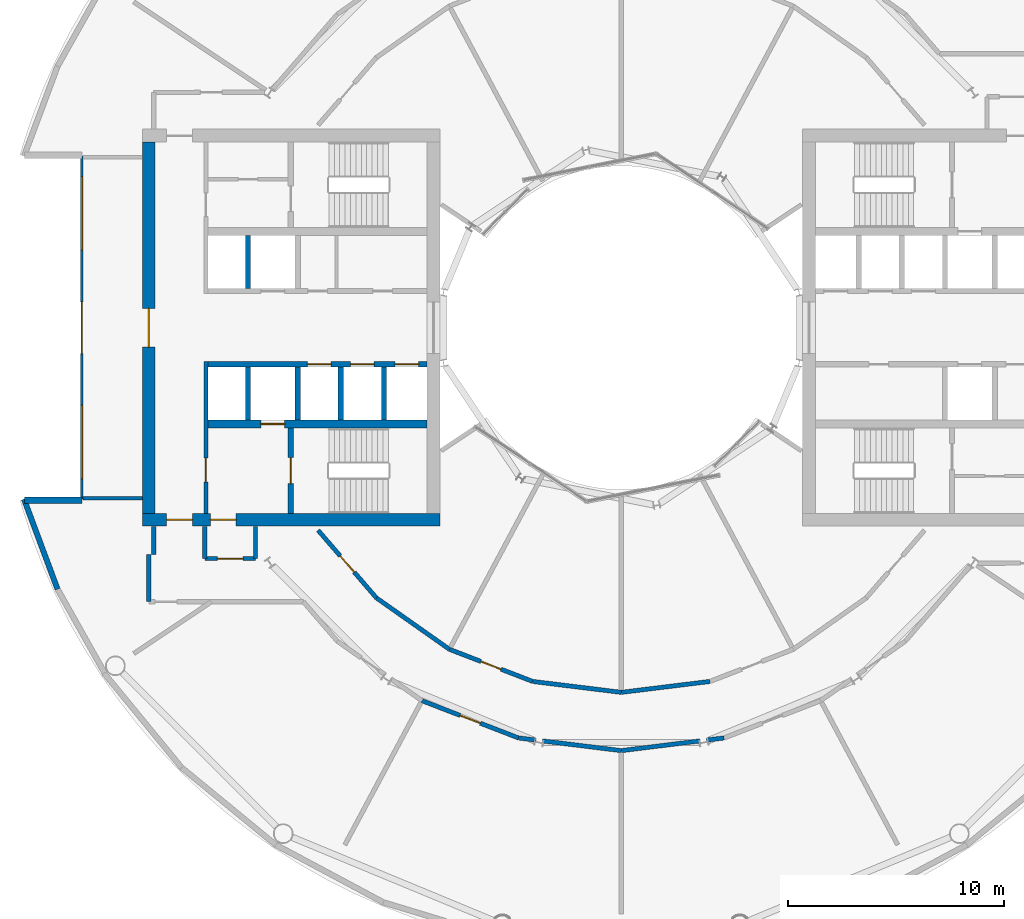
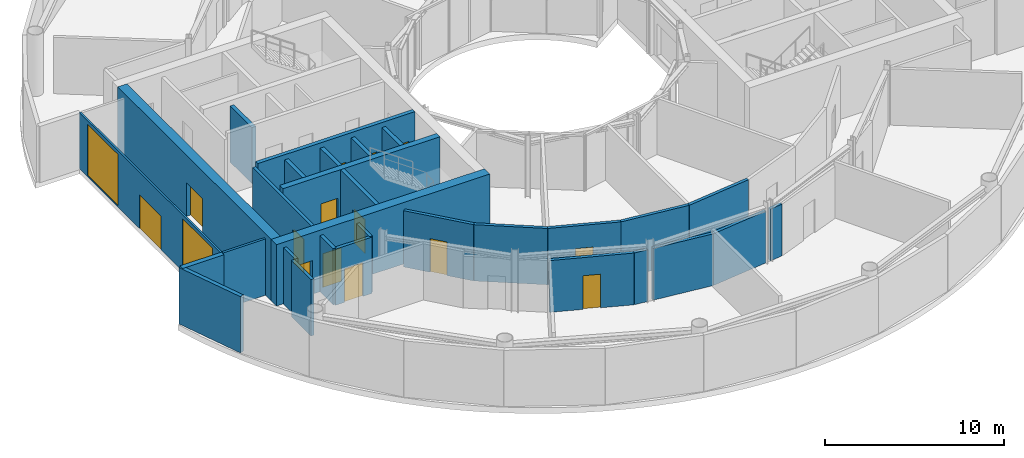
# One storey, part 11 of 18: 30 walls, 14 doors, 2 windows, 16 openings.
"""IFC4 building model written with IfcOpenShell, lengths in metres."""

from ifc_helpers import new_model, si_unit, direction, frame, frame_2d, origin, place, context, subcontext, project, spatial, rectangle, extrude, material, layer, layer_set, type_object, element, fill, save


model = new_model("IFC4")

# Units and contexts
model_context = context("Model", 3, precision=1e-05, world=origin(), true_north=direction((0.0, 1.0)))
body_context = subcontext(model_context, "Body", "Model", "MODEL_VIEW")
ifc_project = project(units=[si_unit("LENGTHUNIT", "METRE"), si_unit("AREAUNIT", "SQUARE_METRE"), si_unit("VOLUMEUNIT", "CUBIC_METRE"), si_unit("PLANEANGLEUNIT", "RADIAN"), si_unit("MASSUNIT", "GRAM", prefix="KILO")], contexts=[model_context])

# Site, building, storey
site_placement = place(None, origin())
site = spatial("IfcSite", under=ifc_project, at=site_placement, CompositionType="ELEMENT")
building_placement = place(site_placement, origin())
building = spatial("IfcBuilding", under=site, at=building_placement, Name="Maasbend Ring Residences", CompositionType="ELEMENT")
storey_placement = place(building_placement, frame((0.0, 0.0, 103.25)))
storey = spatial("IfcBuildingStorey", under=building, at=storey_placement, Name="L29", CompositionType="ELEMENT", Elevation=103.25)

# Wall, opening, door
ifc_material_1 = material(Name="Concrete C30/37", Category="concrete")
ifc_layer_1 = layer(ifc_material_1, 0.199951171875)
ifc_layer_set_1 = layer_set([ifc_layer_1], Name="Concrete C30/37")
wall_type_1 = type_object("IfcWallType", Name="COMPARTMENT WALL 200 CONCRETE", PredefinedType="PARTITIONING", material=ifc_layer_set_1)
wall_1_placement = place(storey_placement, frame((-9.239013671875, -17.285888671875, 0.0), z_axis=(0.0, 0.0, 1.0), x_axis=(0.932988479706, -0.359906233255, 0.0)))
wall_1 = element("IfcWall", 1, at=wall_1_placement, inside=storey, type_object=wall_type_1, Name="U-L29-w007", PredefinedType="PARTITIONING", context=body_context, shape_type="SweptSolid", body=[
    extrude(rectangle(XDim=4.798583984375, YDim=0.199951171875, at=frame_2d((2.3994140625, 0.0))), origin(), (0.0, 0.0, 1.0), 3.5400390625),
])
opening_1_placement = place(wall_1_placement, frame((1.89892578125, 0.0, 0.0)))
opening_1 = element("IfcOpeningElement", 2, at=opening_1_placement, cuts=wall_1, Name="Opening D-2912", PredefinedType="OPENING", context=body_context, shape_type="SweptSolid", body=[
    extrude(rectangle(XDim=1.0, YDim=2.300048828125, at=frame_2d((0.5, 1.14990234375))), frame((0.0, 0.10986328125, 0.0), z_axis=(0.0, -1.0, 0.0), x_axis=(1.0, 0.0, 0.0)), (0.0, 0.0, 1.0), 0.219970703125),
])
ifc_material_2 = material(Name="Steel, fire-rated, painted", Category="steel")
door_type_1 = type_object("IfcDoorType", Name="PLANT DOOR 1000 X 2300 FIRE-RATED", OperationType="NOTDEFINED", PredefinedType="DOOR", material=ifc_material_2)
door_1_placement = place(opening_1_placement, origin())
door_1 = element("IfcDoor", 3, at=door_1_placement, inside=storey, type_object=door_type_1, Name="D-2912", OperationType="SINGLE_SWING_RIGHT", OverallHeight=2.300048828125, OverallWidth=1.0, PredefinedType="DOOR", context=body_context, shape_type="SweptSolid", body=[
    extrude(rectangle(XDim=1.0, YDim=2.300048828125, at=frame_2d((0.5, 1.14990234375))), frame((0.0, 0.02490234375, 0.0), z_axis=(0.0, -1.0, 0.0), x_axis=(1.0, 0.0, 0.0)), (0.0, 0.0, 1.0), 0.050048828125),
])
fill(opening_1, door_1)

# Walls
wall_2_placement = place(storey_placement, frame((-4.761962890625, -19.012939453125, 0.0), z_axis=(0.0, 0.0, 1.0), x_axis=(0.99248512894, -0.122365308943, 0.0)))
element("IfcWall", 4, at=wall_2_placement, inside=storey, type_object=wall_type_1, Name="U-L29-w008", PredefinedType="PARTITIONING", context=body_context, shape_type="SweptSolid", body=[
    extrude(rectangle(XDim=0.81005859375, YDim=0.199951171875, at=frame_2d((0.405029296875, 0.0))), origin(), (0.0, 0.0, 1.0), 3.5400390625),
])
for number, where, z_axis, x_axis, name in (
    (5, (-3.653076171875, -19.14990234375, 0.0), (0.0, 0.0, 1.0), (0.992491698106, -0.122312015726, 0.0), "U-L29-w009"),
    (6, (0.0, -19.60009765625, 0.0), (0.0, 0.0, 1.0), (0.992491698106, 0.122312015726, 0.0), "U-L29-w010"),
):
    element("IfcWall", number, at=place(storey_placement, frame(where, z_axis=z_axis, x_axis=x_axis)), inside=storey, type_object=wall_type_1, Name=name, PredefinedType="PARTITIONING", context=body_context, shape_type="SweptSolid", body=[
        extrude(rectangle(XDim=3.6806640625, YDim=0.199951171875, at=frame_2d((1.84033203125, 0.0))), origin(), (0.0, 0.0, 1.0), 3.5400390625),
    ])
wall_3_placement = place(storey_placement, frame((3.9580078125, -19.112060546875, 0.0), z_axis=(0.0, 0.0, 1.0), x_axis=(0.99248512894, 0.122365308943, 0.0)))
element("IfcWall", 7, at=wall_3_placement, inside=storey, type_object=wall_type_1, Name="U-L29-w011", PredefinedType="PARTITIONING", context=body_context, shape_type="SweptSolid", body=[
    extrude(rectangle(XDim=0.81005859375, YDim=0.199951171875, at=frame_2d((0.405029296875, 0.0))), origin(), (0.0, 0.0, 1.0), 3.5400390625),
])

# Wall, opening, door
wall_4_placement = place(storey_placement, frame((-14.052001953125, -9.388916015625, 0.0), z_axis=(0.0, 0.0, 1.0), x_axis=(0.653212695939, -0.757174467256, 0.0)))
wall_4 = element("IfcWall", 8, at=wall_4_placement, inside=storey, type_object=wall_type_1, Name="U-L29-w018", PredefinedType="PARTITIONING", context=body_context, shape_type="SweptSolid", body=[
    extrude(rectangle(XDim=4.137939453125, YDim=0.199951171875, at=frame_2d((2.06884765625, 0.0))), origin(), (0.0, 0.0, 1.0), 3.85009765625),
])
opening_2_placement = place(wall_4_placement, frame((1.569091796875, 0.0, 0.0)))
opening_2 = element("IfcOpeningElement", 9, at=opening_2_placement, cuts=wall_4, Name="Opening D-2915", PredefinedType="OPENING", context=body_context, shape_type="SweptSolid", body=[
    extrude(rectangle(XDim=1.0, YDim=2.300048828125, at=frame_2d((0.5, 1.14990234375))), frame((0.0, 0.10986328125, 0.0), z_axis=(0.0, -1.0, 0.0), x_axis=(1.0, 0.0, 0.0)), (0.0, 0.0, 1.0), 0.219970703125),
])
door_2_placement = place(opening_2_placement, origin())
door_2 = element("IfcDoor", 10, at=door_2_placement, inside=storey, type_object=door_type_1, Name="D-2915", OperationType="SINGLE_SWING_LEFT", OverallHeight=2.300048828125, OverallWidth=1.0, PredefinedType="DOOR", context=body_context, shape_type="SweptSolid", body=[
    extrude(rectangle(XDim=1.0, YDim=2.300048828125, at=frame_2d((0.5, 1.14990234375))), frame((0.0, 0.02490234375, 0.0), z_axis=(0.0, -1.0, 0.0), x_axis=(1.0, 0.0, 0.0)), (0.0, 0.0, 1.0), 0.050048828125),
])
fill(opening_2, door_2)

# Wall
wall_5_placement = place(storey_placement, frame((-11.34912109375, -12.52197265625, 0.0), z_axis=(0.0, 0.0, 1.0), x_axis=(0.817567680547, -0.575832517079, 0.0)))
element("IfcWall", 11, at=wall_5_placement, inside=storey, type_object=wall_type_1, Name="U-L29-w019", PredefinedType="PARTITIONING", context=body_context, shape_type="SweptSolid", body=[
    extrude(rectangle(XDim=4.13671875, YDim=0.199951171875, at=frame_2d((2.068359375, 0.0))), origin(), (0.0, 0.0, 1.0), 3.85009765625),
])

# Wall, opening, door
wall_6_placement = place(storey_placement, frame((-7.967041015625, -14.904052734375, 0.0), z_axis=(0.0, 0.0, 1.0), x_axis=(0.932943640288, -0.360022449363, 0.0)))
wall_6 = element("IfcWall", 12, at=wall_6_placement, inside=storey, type_object=wall_type_1, Name="U-L29-w020", PredefinedType="PARTITIONING", context=body_context, shape_type="SweptSolid", body=[
    extrude(rectangle(XDim=4.138671875, YDim=0.199951171875, at=frame_2d((2.0693359375, 0.0))), origin(), (0.0, 0.0, 1.0), 3.85009765625),
])
opening_3_placement = place(wall_6_placement, frame((1.569091796875, 0.0, 0.0)))
opening_3 = element("IfcOpeningElement", 13, at=opening_3_placement, cuts=wall_6, Name="Opening D-2916", PredefinedType="OPENING", context=body_context, shape_type="SweptSolid", body=[
    extrude(rectangle(XDim=1.0, YDim=2.300048828125, at=frame_2d((0.5, 1.14990234375))), frame((0.0, 0.10986328125, 0.0), z_axis=(0.0, -1.0, 0.0), x_axis=(1.0, 0.0, 0.0)), (0.0, 0.0, 1.0), 0.219970703125),
])
door_3_placement = place(opening_3_placement, origin())
door_3 = element("IfcDoor", 14, at=door_3_placement, inside=storey, type_object=door_type_1, Name="D-2916", OperationType="SINGLE_SWING_LEFT", OverallHeight=2.300048828125, OverallWidth=1.0, PredefinedType="DOOR", context=body_context, shape_type="SweptSolid", body=[
    extrude(rectangle(XDim=1.0, YDim=2.300048828125, at=frame_2d((0.5, 1.14990234375))), frame((0.0, 0.02490234375, 0.0), z_axis=(0.0, -1.0, 0.0), x_axis=(1.0, 0.0, 0.0)), (0.0, 0.0, 1.0), 0.050048828125),
])
fill(opening_3, door_3)

# Walls
for number, where, z_axis, x_axis, name in (
    (15, (-4.10595703125, -16.39404296875, 0.0), (0.0, 0.0, 1.0), (0.992496033272, -0.122276833211, 0.0), "U-L29-w021"),
    (16, (0.0, -16.89990234375, 0.0), (0.0, 0.0, 1.0), (0.992496033272, 0.122276833211, 0.0), "U-L29-w022"),
):
    element("IfcWall", number, at=place(storey_placement, frame(where, z_axis=z_axis, x_axis=x_axis)), inside=storey, type_object=wall_type_1, Name=name, PredefinedType="PARTITIONING", context=body_context, shape_type="SweptSolid", body=[
        extrude(rectangle(XDim=4.136962890625, YDim=0.199951171875, at=frame_2d((2.068359375, 0.0))), origin(), (0.0, 0.0, 1.0), 3.85009765625),
    ])

# Wall, opening, door
wall_7_placement = place(storey_placement, frame((-19.300048828125, -10.699951171875, 0.0), z_axis=(0.0, 0.0, 1.0), x_axis=(1.0, 0.0, 0.0)))
wall_7 = element("IfcWall", 17, at=wall_7_placement, inside=storey, type_object=wall_type_1, Name="U-L29-w028", PredefinedType="PARTITIONING", context=body_context, shape_type="SweptSolid", body=[
    extrude(rectangle(XDim=2.35009765625, YDim=0.199951171875, at=frame_2d((1.175048828125, 0.0))), origin(), (0.0, 0.0, 1.0), 3.85009765625),
])
opening_4_placement = place(wall_7_placement, frame((0.574951171875, 0.0, 0.0)))
opening_4 = element("IfcOpeningElement", 18, at=opening_4_placement, cuts=wall_7, Name="Opening D-2902", PredefinedType="OPENING", context=body_context, shape_type="SweptSolid", body=[
    extrude(rectangle(XDim=1.199951171875, YDim=2.300048828125, at=frame_2d((0.60009765625, 1.14990234375))), frame((0.0, 0.10986328125, 0.0), z_axis=(0.0, -1.0, 0.0), x_axis=(1.0, 0.0, 0.0)), (0.0, 0.0, 1.0), 0.219970703125),
])
ifc_material_3 = material(Name="Steel, fire-rated, painted", Category="steel")
door_type_2 = type_object("IfcDoorType", Name="REFUGE DOOR 1200 X 2300 FIRE-RATED", OperationType="NOTDEFINED", PredefinedType="DOOR", material=ifc_material_3)
door_4_placement = place(opening_4_placement, origin())
door_4 = element("IfcDoor", 19, at=door_4_placement, inside=storey, type_object=door_type_2, Name="D-2902", OperationType="SINGLE_SWING_LEFT", OverallHeight=2.300048828125, OverallWidth=1.199951171875, PredefinedType="DOOR", context=body_context, shape_type="SweptSolid", body=[
    extrude(rectangle(XDim=1.199951171875, YDim=2.300048828125, at=frame_2d((0.60009765625, 1.14990234375))), frame((0.0, 0.02490234375, 0.0), z_axis=(0.0, -1.0, 0.0), x_axis=(1.0, 0.0, 0.0)), (0.0, 0.0, 1.0), 0.050048828125),
])
fill(opening_4, door_4)

# Walls
for number, where, z_axis, x_axis, name in (
    (20, (-16.949951171875, -10.699951171875, 0.0), (0.0, 0.0, 1.0), (0.0, 1.0, 0.0), "U-L29-w060"),
    (21, (-19.300048828125, -10.699951171875, 0.0), (0.0, 0.0, 1.0), (0.0, 1.0, 0.0), "U-L29-w061"),
):
    element("IfcWall", number, at=place(storey_placement, frame(where, z_axis=z_axis, x_axis=x_axis)), inside=storey, type_object=wall_type_1, Name=name, PredefinedType="PARTITIONING", context=body_context, shape_type="SweptSolid", body=[
        extrude(rectangle(XDim=1.47998046875, YDim=0.199951171875, at=frame_2d((0.739990234375, 0.0))), origin(), (0.0, 0.0, 1.0), 3.85009765625),
    ])
wall_8_placement = place(storey_placement, frame((-21.675048828125, -10.5, 0.0), z_axis=(0.0, 0.0, 1.0), x_axis=(0.0, 1.0, 0.0)))
element("IfcWall", 22, at=wall_8_placement, inside=storey, type_object=wall_type_1, Name="U-L29-w074", PredefinedType="PARTITIONING", context=body_context, shape_type="SweptSolid", body=[
    extrude(rectangle(XDim=1.280029296875, YDim=0.199951171875, at=frame_2d((0.64013671875, 0.0))), origin(), (0.0, 0.0, 1.0), 3.85009765625),
])
wall_9_placement = place(storey_placement, frame((-21.89990234375, -12.699951171875, 0.0), z_axis=(0.0, 0.0, 1.0), x_axis=(0.0, 1.0, 0.0)))
element("IfcWall", 23, at=wall_9_placement, inside=storey, type_object=wall_type_1, Name="U-L29-w076", PredefinedType="PARTITIONING", context=body_context, shape_type="SweptSolid", body=[
    extrude(rectangle(XDim=2.199951171875, YDim=0.199951171875, at=frame_2d((1.10009765625, 0.0))), origin(), (0.0, 0.0, 1.0), 3.85009765625),
])

# Wall, openings, doors
ifc_material_4 = material(Name="Concrete C60/75", Category="concrete")
ifc_layer_2 = layer(ifc_material_4, 0.25)
ifc_layer_set_2 = layer_set([ifc_layer_2], Name="Concrete C60/75")
wall_type_2 = type_object("IfcWallType", Name="CORE WALL 250 C60/75", PredefinedType="SHEAR", material=ifc_layer_set_2)
wall_10_placement = place(storey_placement, frame((-9.0, -1.699951171875, 0.0), z_axis=(0.0, 0.0, 1.0), x_axis=(-1.0, 0.0, 0.0)))
wall_10 = element("IfcWall", 24, at=wall_10_placement, inside=storey, type_object=wall_type_2, Name="L29 core W wall SPN", PredefinedType="SHEAR", context=body_context, shape_type="SweptSolid", body=[
    extrude(rectangle(XDim=10.14990234375, YDim=0.25, at=frame_2d((5.074951171875, 0.0))), origin(), (0.0, 0.0, 1.0), 4.199951171875),
])
opening_5_placement = place(wall_10_placement, frame((0.387451171875, 0.0, 0.0)))
opening_5 = element("IfcOpeningElement", 25, at=opening_5_placement, cuts=wall_10, Name="Opening LD-W2901", PredefinedType="OPENING", context=body_context, shape_type="SweptSolid", body=[
    extrude(rectangle(XDim=1.10009765625, YDim=2.300048828125, at=frame_2d((0.550048828125, 1.14990234375))), frame((0.0, 0.135009765625, 0.0), z_axis=(0.0, -1.0, 0.0), x_axis=(1.0, 0.0, 0.0)), (0.0, 0.0, 1.0), 0.27001953125),
])
opening_6_placement = place(wall_10_placement, frame((2.449951171875, 0.0, 0.0)))
opening_6 = element("IfcOpeningElement", 26, at=opening_6_placement, cuts=wall_10, Name="Opening LD-W2902", PredefinedType="OPENING", context=body_context, shape_type="SweptSolid", body=[
    extrude(rectangle(XDim=1.10009765625, YDim=2.300048828125, at=frame_2d((0.550048828125, 1.14990234375))), frame((0.0, 0.135009765625, 0.0), z_axis=(0.0, -1.0, 0.0), x_axis=(1.0, 0.0, 0.0)), (0.0, 0.0, 1.0), 0.27001953125),
])
opening_7_placement = place(wall_10_placement, frame((4.449951171875, 0.0, 0.0)))
opening_7 = element("IfcOpeningElement", 27, at=opening_7_placement, cuts=wall_10, Name="Opening LD-W2903", PredefinedType="OPENING", context=body_context, shape_type="SweptSolid", body=[
    extrude(rectangle(XDim=1.10009765625, YDim=2.300048828125, at=frame_2d((0.550048828125, 1.14990234375))), frame((0.0, 0.135009765625, 0.0), z_axis=(0.0, -1.0, 0.0), x_axis=(1.0, 0.0, 0.0)), (0.0, 0.0, 1.0), 0.27001953125),
])
ifc_material_5 = material(Name="Stainless steel 316", Category="steel")
door_type_3 = type_object("IfcDoorType", Name="LANDING DOOR 1100 X 2300 FD60", OperationType="DOUBLE_DOOR_SLIDING", PredefinedType="DOOR", material=ifc_material_5)
door_5_placement = place(opening_5_placement, origin())
door_5 = element("IfcDoor", 28, at=door_5_placement, inside=storey, type_object=door_type_3, Name="Landing door LR-W1 L29", OperationType="DOUBLE_DOOR_SLIDING", OverallHeight=2.300048828125, OverallWidth=1.10009765625, PredefinedType="DOOR", context=body_context, shape_type="SweptSolid", body=[
    extrude(rectangle(XDim=1.10009765625, YDim=2.300048828125, at=frame_2d((0.550048828125, 1.14990234375))), frame((0.0, 0.02490234375, 0.0), z_axis=(0.0, -1.0, 0.0), x_axis=(1.0, 0.0, 0.0)), (0.0, 0.0, 1.0), 0.050048828125),
])
fill(opening_5, door_5)
door_6_placement = place(opening_6_placement, origin())
door_6 = element("IfcDoor", 29, at=door_6_placement, inside=storey, type_object=door_type_3, Name="Landing door LR-W2 L29", OperationType="DOUBLE_DOOR_SLIDING", OverallHeight=2.300048828125, OverallWidth=1.10009765625, PredefinedType="DOOR", context=body_context, shape_type="SweptSolid", body=[
    extrude(rectangle(XDim=1.10009765625, YDim=2.300048828125, at=frame_2d((0.550048828125, 1.14990234375))), frame((0.0, 0.02490234375, 0.0), z_axis=(0.0, -1.0, 0.0), x_axis=(1.0, 0.0, 0.0)), (0.0, 0.0, 1.0), 0.050048828125),
])
fill(opening_6, door_6)
door_7_placement = place(opening_7_placement, origin())
door_7 = element("IfcDoor", 30, at=door_7_placement, inside=storey, type_object=door_type_3, Name="Landing door LR-W3 L29", OperationType="DOUBLE_DOOR_SLIDING", OverallHeight=2.300048828125, OverallWidth=1.10009765625, PredefinedType="DOOR", context=body_context, shape_type="SweptSolid", body=[
    extrude(rectangle(XDim=1.10009765625, YDim=2.300048828125, at=frame_2d((0.550048828125, 1.14990234375))), frame((0.0, 0.02490234375, 0.0), z_axis=(0.0, -1.0, 0.0), x_axis=(1.0, 0.0, 0.0)), (0.0, 0.0, 1.0), 0.050048828125),
])
fill(opening_7, door_7)

# Wall, opening, door
wall_11_placement = place(storey_placement, frame((-15.324951171875, -4.64990234375, 0.0), z_axis=(0.0, 0.0, 1.0), x_axis=(0.0, -1.0, 0.0)))
wall_11 = element("IfcWall", 31, at=wall_11_placement, inside=storey, type_object=wall_type_2, Name="L29 core W wall STEN", PredefinedType="SHEAR", context=body_context, shape_type="SweptSolid", body=[
    extrude(rectangle(XDim=3.9501953125, YDim=0.25, at=frame_2d((1.97509765625, 0.0))), origin(), (0.0, 0.0, 1.0), 4.199951171875),
])
opening_8_placement = place(wall_11_placement, frame((1.375, 0.0, 0.0)))
opening_8 = element("IfcOpeningElement", 32, at=opening_8_placement, cuts=wall_11, Name="Opening D-W2909", PredefinedType="OPENING", context=body_context, shape_type="SweptSolid", body=[
    extrude(rectangle(XDim=1.199951171875, YDim=2.300048828125, at=frame_2d((0.60009765625, 1.14990234375))), frame((0.0, 0.135009765625, 0.0), z_axis=(0.0, -1.0, 0.0), x_axis=(1.0, 0.0, 0.0)), (0.0, 0.0, 1.0), 0.27001953125),
])
ifc_material_6 = material(Name="Steel, powder coated", Category="steel")
door_type_4 = type_object("IfcDoorType", Name="STAIR DOOR 1200 X 2300 FD60", OperationType="NOTDEFINED", PredefinedType="DOOR", material=ifc_material_6)
door_8_placement = place(opening_8_placement, origin())
door_8 = element("IfcDoor", 33, at=door_8_placement, inside=storey, type_object=door_type_4, Name="Stair door ST-W L29", OperationType="SINGLE_SWING_LEFT", OverallHeight=2.300048828125, OverallWidth=1.199951171875, PredefinedType="DOOR", context=body_context, shape_type="SweptSolid", body=[
    extrude(rectangle(XDim=1.199951171875, YDim=2.300048828125, at=frame_2d((0.60009765625, 1.14990234375))), frame((0.0, 0.02490234375, 0.0), z_axis=(0.0, -1.0, 0.0), x_axis=(1.0, 0.0, 0.0)), (0.0, 0.0, 1.0), 0.050048828125),
])
fill(opening_8, door_8)

ifc_material_7 = material(Name="Concrete C60/75", Category="concrete")
ifc_layer_3 = layer(ifc_material_7, 0.375)
ifc_layer_set_3 = layer_set([ifc_layer_3], Name="Concrete C60/75")
wall_type_3 = type_object("IfcWallType", Name="CORE WALL 375 C60/75", PredefinedType="SHEAR", material=ifc_layer_set_3)
wall_12_placement = place(storey_placement, frame((-9.0, -4.46240234375, 0.0), z_axis=(0.0, 0.0, 1.0), x_axis=(-1.0, 0.0, 0.0)))
wall_12 = element("IfcWall", 34, at=wall_12_placement, inside=storey, type_object=wall_type_3, Name="L29 core W wall BN", PredefinedType="SHEAR", context=body_context, shape_type="SweptSolid", body=[
    extrude(rectangle(XDim=10.14990234375, YDim=0.375, at=frame_2d((5.074951171875, 0.0))), origin(), (0.0, 0.0, 1.0), 4.199951171875),
])
opening_9_placement = place(wall_12_placement, frame((6.60009765625, 0.0, 0.0)))
opening_9 = element("IfcOpeningElement", 35, at=opening_9_placement, cuts=wall_12, Name="Opening LD-W2904", PredefinedType="OPENING", context=body_context, shape_type="SweptSolid", body=[
    extrude(rectangle(XDim=1.10009765625, YDim=2.300048828125, at=frame_2d((0.550048828125, 1.14990234375))), frame((0.0, 0.197509765625, 0.0), z_axis=(0.0, -1.0, 0.0), x_axis=(1.0, 0.0, 0.0)), (0.0, 0.0, 1.0), 0.39501953125),
])
door_9_placement = place(opening_9_placement, origin())
door_9 = element("IfcDoor", 36, at=door_9_placement, inside=storey, type_object=door_type_3, Name="Landing door FF-W L29", OperationType="DOUBLE_DOOR_SLIDING", OverallHeight=2.300048828125, OverallWidth=1.10009765625, PredefinedType="DOOR", context=body_context, shape_type="SweptSolid", body=[
    extrude(rectangle(XDim=1.10009765625, YDim=2.300048828125, at=frame_2d((0.550048828125, 1.14990234375))), frame((0.0, 0.02490234375, 0.0), z_axis=(0.0, -1.0, 0.0), x_axis=(1.0, 0.0, 0.0)), (0.0, 0.0, 1.0), 0.050048828125),
])
fill(opening_9, door_9)

# Wall, openings, doors
ifc_material_8 = material(Name="Concrete C60/75", Category="concrete")
ifc_layer_4 = layer(ifc_material_8, 0.60009765625)
ifc_layer_set_4 = layer_set([ifc_layer_4], Name="Concrete C60/75")
wall_type_4 = type_object("IfcWallType", Name="CORE WALL 600 C60/75", PredefinedType="SHEAR", material=ifc_layer_set_4)
wall_13_placement = place(storey_placement, frame((-22.199951171875, -8.89990234375, 0.0), z_axis=(0.0, 0.0, 1.0), x_axis=(1.0, 0.0, 0.0)))
wall_13 = element("IfcWall", 37, at=wall_13_placement, inside=storey, type_object=wall_type_4, Name="L29 core W wall PN", PredefinedType="SHEAR", context=body_context, shape_type="SweptSolid", body=[
    extrude(rectangle(XDim=13.800048828125, YDim=0.60009765625, at=frame_2d((6.89990234375, 0.0))), origin(), (0.0, 0.0, 1.0), 4.199951171875),
])
opening_10_placement = place(wall_13_placement, frame((1.125, 0.0, 0.0)))
opening_10 = element("IfcOpeningElement", 38, at=opening_10_placement, cuts=wall_13, Name="Opening D-W2913", PredefinedType="OPENING", context=body_context, shape_type="SweptSolid", body=[
    extrude(rectangle(XDim=1.199951171875, YDim=2.300048828125, at=frame_2d((0.60009765625, 1.14990234375))), frame((0.0, 0.31005859375, 0.0), z_axis=(0.0, -1.0, 0.0), x_axis=(1.0, 0.0, 0.0)), (0.0, 0.0, 1.0), 0.6201171875),
])
opening_11_placement = place(wall_13_placement, frame((3.14990234375, 0.0, 0.0)))
opening_11 = element("IfcOpeningElement", 39, at=opening_11_placement, cuts=wall_13, Name="Opening D-W2915", PredefinedType="OPENING", context=body_context, shape_type="SweptSolid", body=[
    extrude(rectangle(XDim=1.199951171875, YDim=2.300048828125, at=frame_2d((0.60009765625, 1.14990234375))), frame((0.0, 0.31005859375, 0.0), z_axis=(0.0, -1.0, 0.0), x_axis=(1.0, 0.0, 0.0)), (0.0, 0.0, 1.0), 0.6201171875),
])
ifc_material_9 = material(Name="Steel, powder coated", Category="steel")
door_type_5 = type_object("IfcDoorType", Name="CORRIDOR DOOR 1200 X 2300 FD30S", OperationType="NOTDEFINED", PredefinedType="DOOR", material=ifc_material_9)
door_10_placement = place(opening_10_placement, origin())
door_10 = element("IfcDoor", 40, at=door_10_placement, inside=storey, type_object=door_type_5, Name="Corridor door L29", OperationType="SINGLE_SWING_RIGHT", OverallHeight=2.300048828125, OverallWidth=1.199951171875, PredefinedType="DOOR", context=body_context, shape_type="SweptSolid", body=[
    extrude(rectangle(XDim=1.199951171875, YDim=2.300048828125, at=frame_2d((0.60009765625, 1.14990234375))), frame((0.0, 0.02490234375, 0.0), z_axis=(0.0, -1.0, 0.0), x_axis=(1.0, 0.0, 0.0)), (0.0, 0.0, 1.0), 0.050048828125),
])
fill(opening_10, door_10)
ifc_material_10 = material(Name="Steel, powder coated", Category="steel")
door_type_6 = type_object("IfcDoorType", Name="LOBBY DOOR 1200 X 2300 FD60", OperationType="NOTDEFINED", PredefinedType="DOOR", material=ifc_material_10)
door_11_placement = place(opening_11_placement, origin())
door_11 = element("IfcDoor", 41, at=door_11_placement, inside=storey, type_object=door_type_6, Name="Lobby door L29", OperationType="SINGLE_SWING_RIGHT", OverallHeight=2.300048828125, OverallWidth=1.199951171875, PredefinedType="DOOR", context=body_context, shape_type="SweptSolid", body=[
    extrude(rectangle(XDim=1.199951171875, YDim=2.300048828125, at=frame_2d((0.60009765625, 1.14990234375))), frame((0.0, 0.02490234375, 0.0), z_axis=(0.0, -1.0, 0.0), x_axis=(1.0, 0.0, 0.0)), (0.0, 0.0, 1.0), 0.050048828125),
])
fill(opening_11, door_11)

# Wall, opening, door
wall_14_placement = place(storey_placement, frame((-21.89990234375, -8.60009765625, 0.0), z_axis=(0.0, 0.0, 1.0), x_axis=(0.0, 1.0, 0.0)))
wall_14 = element("IfcWall", 42, at=wall_14_placement, inside=storey, type_object=wall_type_4, Name="L29 core W wall POUT", PredefinedType="SHEAR", context=body_context, shape_type="SweptSolid", body=[
    extrude(rectangle(XDim=17.2001953125, YDim=0.60009765625, at=frame_2d((8.60009765625, 0.0))), origin(), (0.0, 0.0, 1.0), 4.199951171875),
])
opening_12_placement = place(wall_14_placement, frame((7.699951171875, 0.0, 0.0)))
opening_12 = element("IfcOpeningElement", 43, at=opening_12_placement, cuts=wall_14, Name="Opening D-W2916", PredefinedType="OPENING", context=body_context, shape_type="SweptSolid", body=[
    extrude(rectangle(XDim=1.800048828125, YDim=2.300048828125, at=frame_2d((0.89990234375, 1.14990234375))), frame((0.0, 0.31005859375, 0.0), z_axis=(0.0, -1.0, 0.0), x_axis=(1.0, 0.0, 0.0)), (0.0, 0.0, 1.0), 0.6201171875),
])
ifc_material_11 = material(Name="Aluminium frame, clear glass", Category="aluminium")
door_type_7 = type_object("IfcDoorType", Name="ENTRANCE DOOR 1800 X 2300 FD60", OperationType="NOTDEFINED", PredefinedType="DOOR", material=ifc_material_11)
door_12_placement = place(opening_12_placement, origin())
door_12 = element("IfcDoor", 44, at=door_12_placement, inside=storey, type_object=door_type_7, Name="Lobby glazed door L29", OperationType="SINGLE_SWING_LEFT", OverallHeight=2.300048828125, OverallWidth=1.800048828125, PredefinedType="DOOR", context=body_context, shape_type="SweptSolid", body=[
    extrude(rectangle(XDim=1.800048828125, YDim=2.300048828125, at=frame_2d((0.89990234375, 1.14990234375))), frame((0.0, 0.02490234375, 0.0), z_axis=(0.0, -1.0, 0.0), x_axis=(1.0, 0.0, 0.0)), (0.0, 0.0, 1.0), 0.050048828125),
])
fill(opening_12, door_12)

# Walls
ifc_material_12 = material(Name="Louvred aluminium panel", Category="aluminium")
ifc_layer_5 = layer(ifc_material_12, 0.25)
ifc_layer_set_5 = layer_set([ifc_layer_5], Name="EW-LV")
wall_type_5 = type_object("IfcWallType", Name="EW-LV", PredefinedType="SOLIDWALL", material=ifc_layer_set_5)
wall_15_placement = place(storey_placement, frame((-27.681884765625, -7.945068359375, 0.0), z_axis=(0.0, 0.0, 1.0), x_axis=(0.349247811493, -0.937030397675, 0.0)))
element("IfcWall", 45, at=wall_15_placement, inside=storey, type_object=wall_type_5, Name="Horn wall 3.1", PredefinedType="SOLIDWALL", context=body_context, shape_type="SweptSolid", body=[
    extrude(rectangle(XDim=4.4521484375, YDim=0.25, at=frame_2d((2.22607421875, 0.0))), origin(), (0.0, 0.0, 1.0), 3.85009765625),
])
ifc_material_13 = material(Name="Aluminium clad insulated panel", Category="aluminium")
ifc_layer_6 = layer(ifc_material_13, 0.300048828125)
ifc_layer_set_6 = layer_set([ifc_layer_6], Name="EW-RET")
wall_type_6 = type_object("IfcWallType", Name="EW-RET", PredefinedType="SOLIDWALL", material=ifc_layer_set_6)
wall_16_placement = place(storey_placement, frame((-25.0, -8.0, 0.0), z_axis=(0.0, 0.0, 1.0), x_axis=(-1.0, 0.0, 0.0)))
element("IfcWall", 46, at=wall_16_placement, inside=storey, type_object=wall_type_6, Name="Notch return wall west south", PredefinedType="SOLIDWALL", context=body_context, shape_type="SweptSolid", body=[
    extrude(rectangle(XDim=2.6669921875, YDim=0.300048828125, at=frame_2d((1.33349609375, 0.0))), origin(), (0.0, 0.0, 1.0), 3.85009765625),
])

# Wall, openings, door, windows
ifc_material_14 = material(Name="Aluminium frame and clear glass", Category="aluminium")
ifc_layer_7 = layer(ifc_material_14, 0.1201171875)
ifc_layer_set_7 = layer_set([ifc_layer_7], Name="GLAZED SCREEN WALL 120 EI 60")
wall_type_7 = type_object("IfcWallType", Name="GLAZED SCREEN WALL 120 EI 60", PredefinedType="PARTITIONING", material=ifc_layer_set_7)
wall_17_placement = place(storey_placement, frame((-25.0, -7.949951171875, 0.0), z_axis=(0.0, 0.0, 1.0), x_axis=(0.0, 1.0, 0.0)))
wall_17 = element("IfcWall", 47, at=wall_17_placement, inside=storey, type_object=wall_type_7, Name="L29 core W wall FACE", PredefinedType="PARTITIONING", context=body_context, shape_type="SweptSolid", body=[
    extrude(rectangle(XDim=15.89990234375, YDim=0.1201171875, at=frame_2d((7.949951171875, 0.0))), origin(), (0.0, 0.0, 1.0), 3.85009765625),
])
opening_13_placement = place(wall_17_placement, frame((6.75, 0.0, 0.0)))
opening_13 = element("IfcOpeningElement", 48, at=opening_13_placement, cuts=wall_17, Name="Opening D-W2917", PredefinedType="OPENING", context=body_context, shape_type="SweptSolid", body=[
    extrude(rectangle(XDim=2.39990234375, YDim=2.300048828125, at=frame_2d((1.199951171875, 1.14990234375))), frame((0.0, 0.070068359375, 0.0), z_axis=(0.0, -1.0, 0.0), x_axis=(1.0, 0.0, 0.0)), (0.0, 0.0, 1.0), 0.14013671875),
])
opening_14_placement = place(wall_17_placement, frame((11.550048828125, 0.0, 0.10009765625)))
opening_14 = element("IfcOpeningElement", 49, at=opening_14_placement, cuts=wall_17, Name="Opening W-W2902", PredefinedType="OPENING", context=body_context, shape_type="SweptSolid", body=[
    extrude(rectangle(XDim=3.39990234375, YDim=3.5, at=frame_2d((1.699951171875, 1.75))), frame((0.0, 0.070068359375, 0.0), z_axis=(0.0, -1.0, 0.0), x_axis=(1.0, 0.0, 0.0)), (0.0, 0.0, 1.0), 0.14013671875),
])
opening_15_placement = place(wall_17_placement, frame((0.949951171875, 0.0, 0.10009765625)))
opening_15 = element("IfcOpeningElement", 50, at=opening_15_placement, cuts=wall_17, Name="Opening W-W2903", PredefinedType="OPENING", context=body_context, shape_type="SweptSolid", body=[
    extrude(rectangle(XDim=3.39990234375, YDim=3.5, at=frame_2d((1.699951171875, 1.75))), frame((0.0, 0.070068359375, 0.0), z_axis=(0.0, -1.0, 0.0), x_axis=(1.0, 0.0, 0.0)), (0.0, 0.0, 1.0), 0.14013671875),
])
ifc_material_15 = material(Name="Aluminium frame, clear glass", Category="aluminium")
door_type_8 = type_object("IfcDoorType", Name="ENTRANCE DOOR 2400 X 2300 FD60", OperationType="NOTDEFINED", PredefinedType="DOOR", material=ifc_material_15)
door_13_placement = place(opening_13_placement, origin())
door_13 = element("IfcDoor", 51, at=door_13_placement, inside=storey, type_object=door_type_8, Name="Lobby glazed door L29", OperationType="SINGLE_SWING_LEFT", OverallHeight=2.300048828125, OverallWidth=2.39990234375, PredefinedType="DOOR", context=body_context, shape_type="SweptSolid", body=[
    extrude(rectangle(XDim=2.39990234375, YDim=2.300048828125, at=frame_2d((1.199951171875, 1.14990234375))), frame((0.0, 0.02490234375, 0.0), z_axis=(0.0, -1.0, 0.0), x_axis=(1.0, 0.0, 0.0)), (0.0, 0.0, 1.0), 0.050048828125),
])
fill(opening_13, door_13)
ifc_material_16 = material(Name="Aluminium frame and clear glass", Category="aluminium")
window_type = type_object("IfcWindowType", Name="FIXED WINDOW 3400 X 3500", PartitioningType="SINGLE_PANEL", PredefinedType="WINDOW", material=ifc_material_16)
window_1_placement = place(opening_14_placement, origin())
window_1 = element("IfcWindow", 52, at=window_1_placement, inside=storey, type_object=window_type, Name="Lobby window L29", OverallHeight=3.5, OverallWidth=3.39990234375, PartitioningType="SINGLE_PANEL", PredefinedType="WINDOW", context=body_context, shape_type="SweptSolid", body=[
    extrude(rectangle(XDim=3.39990234375, YDim=3.5, at=frame_2d((1.699951171875, 1.75))), frame((0.0, 0.030029296875, 0.0), z_axis=(0.0, -1.0, 0.0), x_axis=(1.0, 0.0, 0.0)), (0.0, 0.0, 1.0), 0.06005859375),
])
fill(opening_14, window_1)
window_2_placement = place(opening_15_placement, origin())
window_2 = element("IfcWindow", 53, at=window_2_placement, inside=storey, type_object=window_type, Name="Lobby window L29", OverallHeight=3.5, OverallWidth=3.39990234375, PartitioningType="SINGLE_PANEL", PredefinedType="WINDOW", context=body_context, shape_type="SweptSolid", body=[
    extrude(rectangle(XDim=3.39990234375, YDim=3.5, at=frame_2d((1.699951171875, 1.75))), frame((0.0, 0.030029296875, 0.0), z_axis=(0.0, -1.0, 0.0), x_axis=(1.0, 0.0, 0.0)), (0.0, 0.0, 1.0), 0.06005859375),
])
fill(opening_15, window_2)

# Wall
ifc_material_17 = material(Name="Gypsum board on steel studs", Category="steel")
ifc_layer_8 = layer(ifc_material_17, 0.14990234375)
ifc_layer_set_8 = layer_set([ifc_layer_8], Name="PARTITION 150 EI 60")
wall_type_8 = type_object("IfcWallType", Name="PARTITION 150 EI 60", PredefinedType="PARTITIONING", material=ifc_layer_set_8)
wall_18_placement = place(storey_placement, frame((-22.199951171875, -7.89990234375, 0.0), z_axis=(0.0, 0.0, 1.0), x_axis=(-1.0, 0.0, 0.0)))
element("IfcWall", 54, at=wall_18_placement, inside=storey, type_object=wall_type_8, Name="L29 core W wall CITN", PredefinedType="PARTITIONING", context=body_context, shape_type="SweptSolid", body=[
    extrude(rectangle(XDim=2.739990234375, YDim=0.14990234375, at=frame_2d((1.3701171875, 0.0))), origin(), (0.0, 0.0, 1.0), 3.85009765625),
])

# Wall, opening, door
ifc_material_18 = material(Name="Concrete C30/37", Category="concrete")
ifc_layer_9 = layer(ifc_material_18, 0.199951171875)
ifc_layer_set_9 = layer_set([ifc_layer_9], Name="Concrete C30/37")
wall_type_9 = type_object("IfcWallType", Name="SHAFT WALL 200 EI 120", PredefinedType="SOLIDWALL", material=ifc_layer_set_9)
wall_19_placement = place(storey_placement, frame((-19.25, -1.574951171875, 0.0), z_axis=(0.0, 0.0, 1.0), x_axis=(0.0, -1.0, 0.0)))
wall_19 = element("IfcWall", 55, at=wall_19_placement, inside=storey, type_object=wall_type_9, Name="L29 core W wall ENDN", PredefinedType="SOLIDWALL", context=body_context, shape_type="SweptSolid", body=[
    extrude(rectangle(XDim=7.025146484375, YDim=0.199951171875, at=frame_2d((3.5126953125, 0.0))), origin(), (0.0, 0.0, 1.0), 3.85009765625),
])
opening_16_placement = place(wall_19_placement, frame((4.47509765625, 0.0, 0.0)))
opening_16 = element("IfcOpeningElement", 56, at=opening_16_placement, cuts=wall_19, Name="Opening D-W2911", PredefinedType="OPENING", context=body_context, shape_type="SweptSolid", body=[
    extrude(rectangle(XDim=1.10009765625, YDim=2.300048828125, at=frame_2d((0.550048828125, 1.14990234375))), frame((0.0, 0.10986328125, 0.0), z_axis=(0.0, -1.0, 0.0), x_axis=(1.0, 0.0, 0.0)), (0.0, 0.0, 1.0), 0.219970703125),
])
ifc_material_19 = material(Name="Steel, powder coated", Category="steel")
door_type_9 = type_object("IfcDoorType", Name="LOBBY DOOR 1100 X 2300 FD60", OperationType="NOTDEFINED", PredefinedType="DOOR", material=ifc_material_19)
door_14_placement = place(opening_16_placement, origin())
door_14 = element("IfcDoor", 57, at=door_14_placement, inside=storey, type_object=door_type_9, Name="Lobby door L29", OperationType="SINGLE_SWING_LEFT", OverallHeight=2.300048828125, OverallWidth=1.10009765625, PredefinedType="DOOR", context=body_context, shape_type="SweptSolid", body=[
    extrude(rectangle(XDim=1.10009765625, YDim=2.300048828125, at=frame_2d((0.550048828125, 1.14990234375))), frame((0.0, 0.02490234375, 0.0), z_axis=(0.0, -1.0, 0.0), x_axis=(1.0, 0.0, 0.0)), (0.0, 0.0, 1.0), 0.050048828125),
])
fill(opening_16, door_14)

# Walls
ifc_material_20 = material(Name="Concrete C30/37", Category="concrete")
ifc_layer_10 = layer(ifc_material_20, 0.25)
ifc_layer_set_10 = layer_set([ifc_layer_10], Name="Concrete C30/37")
wall_type_10 = type_object("IfcWallType", Name="SHAFT WALL 250 EI 120", PredefinedType="SOLIDWALL", material=ifc_layer_set_10)
for number, where, z_axis, x_axis, name in (
    (58, (-15.0, -1.824951171875, 0.0), (0.0, 0.0, 1.0), (0.0, -1.0, 0.0), "L29 core W wall D150N"),
    (59, (-17.300048828125, -1.824951171875, 0.0), (0.0, 0.0, 1.0), (0.0, -1.0, 0.0), "L29 core W wall D173N"),
    (60, (-17.300048828125, 1.824951171875, 0.0), (0.0, 0.0, 1.0), (0.0, 1.0, 0.0), "L29 core W wall D173S"),
    (61, (-11.0, -1.824951171875, 0.0), (0.0, 0.0, 1.0), (0.0, -1.0, 0.0), "L29 core W wall D110N"),
    (62, (-13.0, -1.824951171875, 0.0), (0.0, 0.0, 1.0), (0.0, -1.0, 0.0), "L29 core W wall D130N"),
):
    element("IfcWall", number, at=place(storey_placement, frame(where, z_axis=z_axis, x_axis=x_axis)), inside=storey, type_object=wall_type_10, Name=name, PredefinedType="SOLIDWALL", context=body_context, shape_type="SweptSolid", body=[
        extrude(rectangle(XDim=2.449951171875, YDim=0.25, at=frame_2d((1.22509765625, 0.0))), origin(), (0.0, 0.0, 1.0), 3.85009765625),
    ])

save(model, "model.ifc")
